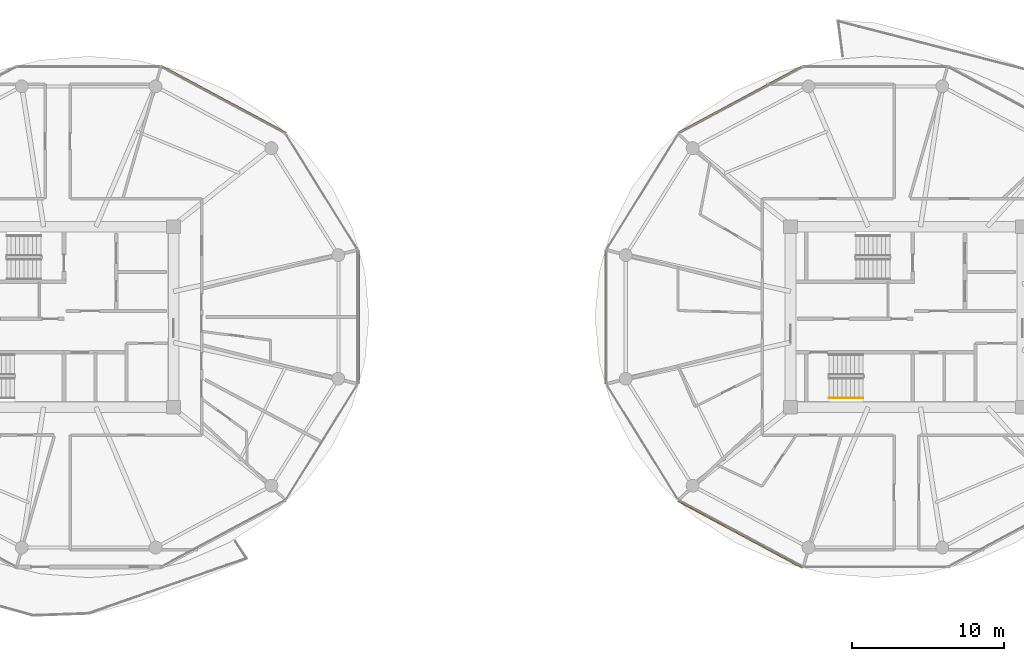
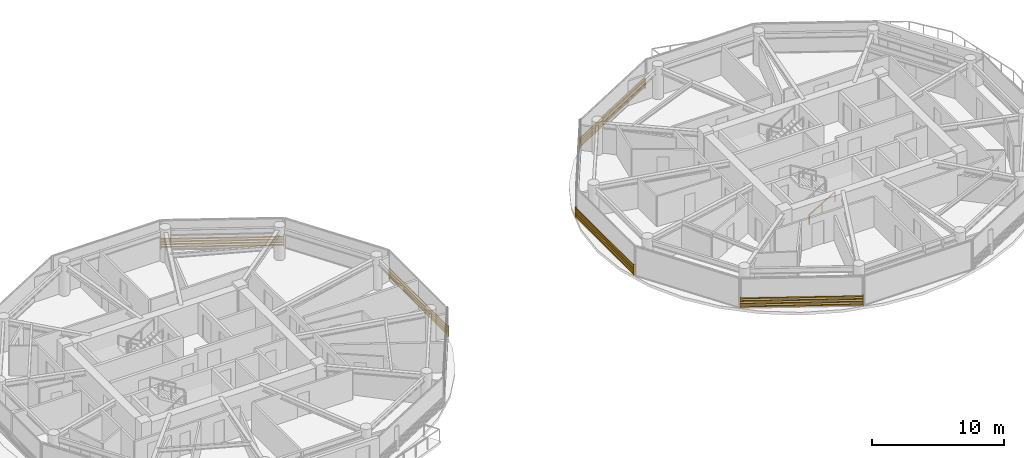
# One storey, part 22 of 24: 5 shading devices, 1 railing.
"""IFC4 building model written with IfcOpenShell, lengths in metres."""

from ifc_helpers import new_model, si_unit, direction, frame, origin, origin_2d, place, context, subcontext, project, spatial, rectangle, extrude, source, transform, mapped, material, type_object, type_shapes, element, save


model = new_model("IFC4")

# Units and contexts
model_context = context("Model", 3, precision=1e-05, world=origin(), true_north=direction((0.0, 1.0)))
body_context = subcontext(model_context, "Body", "Model", "MODEL_VIEW")
ifc_project = project(units=[si_unit("LENGTHUNIT", "METRE"), si_unit("AREAUNIT", "SQUARE_METRE"), si_unit("VOLUMEUNIT", "CUBIC_METRE"), si_unit("PLANEANGLEUNIT", "RADIAN"), si_unit("MASSUNIT", "GRAM", prefix="KILO")], contexts=[model_context])

# Site, building, storey
site_placement = place(None, origin())
site = spatial("IfcSite", under=ifc_project, at=site_placement, CompositionType="ELEMENT")
building_placement = place(site_placement, origin())
building = spatial("IfcBuilding", under=site, at=building_placement, Name="Norrkilde Senior Care Towers", CompositionType="ELEMENT")
storey_placement = place(building_placement, frame((0.0, 0.0, 102.35009765625)))
storey = spatial("IfcBuildingStorey", under=building, at=storey_placement, Name="L31", CompositionType="ELEMENT", Elevation=102.35009765625)

# Railing
ifc_material_1 = material(Name="Nordic Ash Timber", Category="wood")
railing_type = type_object("IfcRailingType", Name="Wall and Stair Handrail 900", PredefinedType="HANDRAIL", material=ifc_material_1)
railing_placement = place(storey_placement, frame((22.89990234375, -5.35009765625, 0.16943359375)))
element("IfcRailing", 1, at=railing_placement, inside=storey, type_object=railing_type, Name="L31 ST-E2 stair handrail 1", PredefinedType="HANDRAIL", context=body_context, shape_type="SweptSolid", body=[
    extrude(rectangle(XDim=0.048095703125, YDim=0.048095703125, at=origin_2d()), frame((0.0, 0.0, 0.8759765625), z_axis=(0.855553338991, 0.0, 0.51771467445), x_axis=(0.0, 1.0, 0.0)), (0.0, 0.0, 1.0), 2.6181640625),
    extrude(rectangle(XDim=0.0419921875, YDim=0.0419921875, at=origin_2d()), origin(), (0.0, 0.0, 1.0), 0.849853515625),
    extrude(rectangle(XDim=0.0419921875, YDim=0.0419921875, at=origin_2d()), frame((1.1201171875, 0.0, 0.677734375)), (0.0, 0.0, 1.0), 0.849853515625),
    extrude(rectangle(XDim=0.0419921875, YDim=0.0419921875, at=origin_2d()), frame((2.239990234375, 0.0, 1.35546875)), (0.0, 0.0, 1.0), 0.849853515625),
])

# Shading devices
ifc_material_2 = material(Name="Architectural Terracotta", Category="masonry")
shading_device_type = type_object("IfcShadingDeviceType", Name="Horizontal Terracotta Baguette Rack", PredefinedType="USERDEFINED", material=ifc_material_2)
shared_shape_1 = source(origin(), body_context, "Body", "SweptSolid", [
    extrude(rectangle(XDim=0.070068359375, YDim=0.110107421875, at=origin_2d()), frame((0.0, 0.090087890625, 0.125), z_axis=(1.0, 0.0, 0.0), x_axis=(0.0, 1.0, 0.0)), (0.0, 0.0, 1.0), 9.3505859375),
    extrude(rectangle(XDim=0.070068359375, YDim=0.110107421875, at=origin_2d()), frame((0.0, 0.090087890625, 0.375), z_axis=(1.0, 0.0, 0.0), x_axis=(0.0, 1.0, 0.0)), (0.0, 0.0, 1.0), 9.3505859375),
    extrude(rectangle(XDim=0.070068359375, YDim=0.110107421875, at=origin_2d()), frame((0.0, 0.090087890625, 0.625), z_axis=(1.0, 0.0, 0.0), x_axis=(0.0, 1.0, 0.0)), (0.0, 0.0, 1.0), 9.3505859375),
    extrude(rectangle(XDim=0.070068359375, YDim=0.110107421875, at=origin_2d()), frame((0.0, 0.090087890625, 0.875), z_axis=(1.0, 0.0, 0.0), x_axis=(0.0, 1.0, 0.0)), (0.0, 0.0, 1.0), 9.3505859375),
    extrude(rectangle(XDim=0.050048828125, YDim=0.1552734375, at=origin_2d()), frame((0.02490234375, 0.047607421875, 0.0)), (0.0, 0.0, 1.0), 1.0),
    extrude(rectangle(XDim=0.050048828125, YDim=0.1552734375, at=origin_2d()), frame((9.32568359375, 0.047607421875, 0.0)), (0.0, 0.0, 1.0), 1.0),
])
for number, where, z_axis, x_axis, name in (
    (2, (-21.19287109375, 16.498046875, 0.079833984375), (0.0, 0.0, 1.0), (0.881174934726, -0.472767624021, 0.0), "L31 Drum W Terracotta Baguette Screen 01"),
    (3, (12.953369140625, 12.077392578125, 0.079833984375), (0.0, 0.0, 1.0), (0.881174934726, 0.472767624021, 0.0), "L31 Drum E Terracotta Baguette Screen 03"),
    (4, (21.19287109375, -16.498046875, 0.079833984375), (0.0, 0.0, 1.0), (-0.881174934726, 0.472767624021, 0.0), "L31 Drum E Terracotta Baguette Screen 07"),
):
    element("IfcShadingDevice", number, at=place(storey_placement, frame(where, z_axis=z_axis, x_axis=x_axis)), inside=storey, type_object=shading_device_type, Name=name, ObjectType="BAGUETTE", PredefinedType="USERDEFINED", context=body_context, shape_type="MappedRepresentation", body=[
        mapped(shared_shape_1, transform((0.0, 0.0, 0.0), x_axis=(1.0, 0.0, 0.0), y_axis=(0.0, 1.0, 0.0), z_axis=(0.0, 0.0, 1.0), scale=1.0)),
    ])
shared_shape_2 = source(origin(), body_context, "Body", "SweptSolid", [
    extrude(rectangle(XDim=0.070068359375, YDim=0.110107421875, at=origin_2d()), frame((0.0, 0.090087890625, 0.125), z_axis=(1.0, 0.0, 0.0), x_axis=(0.0, 1.0, 0.0)), (0.0, 0.0, 1.0), 8.84130859375),
    extrude(rectangle(XDim=0.070068359375, YDim=0.110107421875, at=origin_2d()), frame((0.0, 0.090087890625, 0.375), z_axis=(1.0, 0.0, 0.0), x_axis=(0.0, 1.0, 0.0)), (0.0, 0.0, 1.0), 8.84130859375),
    extrude(rectangle(XDim=0.070068359375, YDim=0.110107421875, at=origin_2d()), frame((0.0, 0.090087890625, 0.625), z_axis=(1.0, 0.0, 0.0), x_axis=(0.0, 1.0, 0.0)), (0.0, 0.0, 1.0), 8.84130859375),
    extrude(rectangle(XDim=0.070068359375, YDim=0.110107421875, at=origin_2d()), frame((0.0, 0.090087890625, 0.875), z_axis=(1.0, 0.0, 0.0), x_axis=(0.0, 1.0, 0.0)), (0.0, 0.0, 1.0), 8.84130859375),
    extrude(rectangle(XDim=0.050048828125, YDim=0.1552734375, at=origin_2d()), frame((0.02490234375, 0.047607421875, 0.0)), (0.0, 0.0, 1.0), 1.0),
    extrude(rectangle(XDim=0.050048828125, YDim=0.1552734375, at=origin_2d()), frame((8.81640625, 0.047607421875, 0.0)), (0.0, 0.0, 1.0), 1.0),
])
type_shapes(shading_device_type, [shared_shape_1, shared_shape_2])
for number, where, z_axis, x_axis, name in (
    (5, (-8.1962890625, 4.420654296875, 0.079833984375), (0.0, 0.0, 1.0), (0.0, -1.0, 0.0), "L31 Drum W Terracotta Baguette Screen 11"),
    (6, (8.1962890625, -4.420654296875, 0.079833984375), (0.0, 0.0, 1.0), (0.0, 1.0, 0.0), "L31 Drum E Terracotta Baguette Screen 05"),
):
    element("IfcShadingDevice", number, at=place(storey_placement, frame(where, z_axis=z_axis, x_axis=x_axis)), inside=storey, type_object=shading_device_type, Name=name, ObjectType="BAGUETTE", PredefinedType="USERDEFINED", context=body_context, shape_type="MappedRepresentation", body=[
        mapped(shared_shape_2, transform((0.0, 0.0, 0.0), x_axis=(1.0, 0.0, 0.0), y_axis=(0.0, 1.0, 0.0), z_axis=(0.0, 0.0, 1.0), scale=1.0)),
    ])

save(model, "model.ifc")
